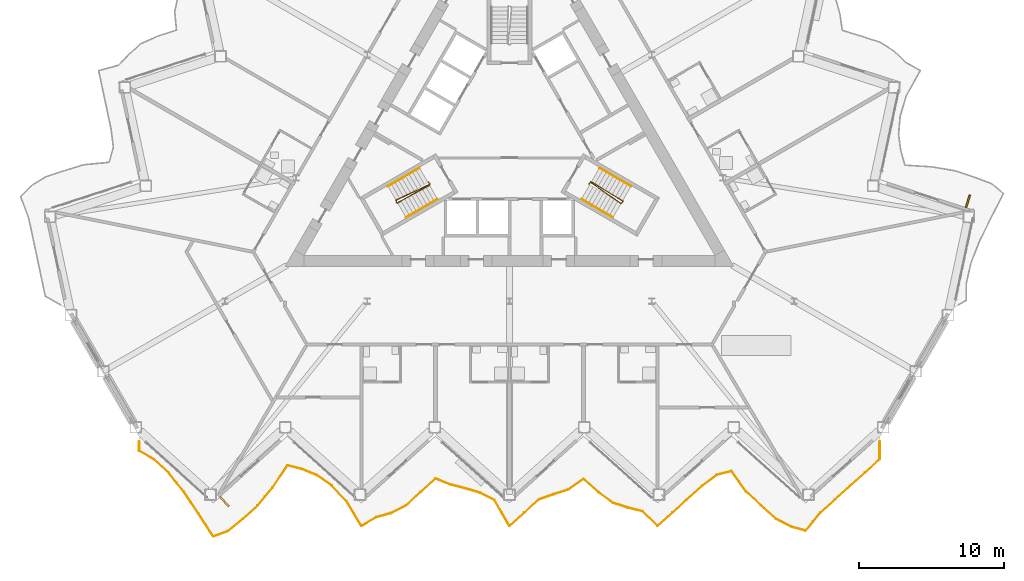
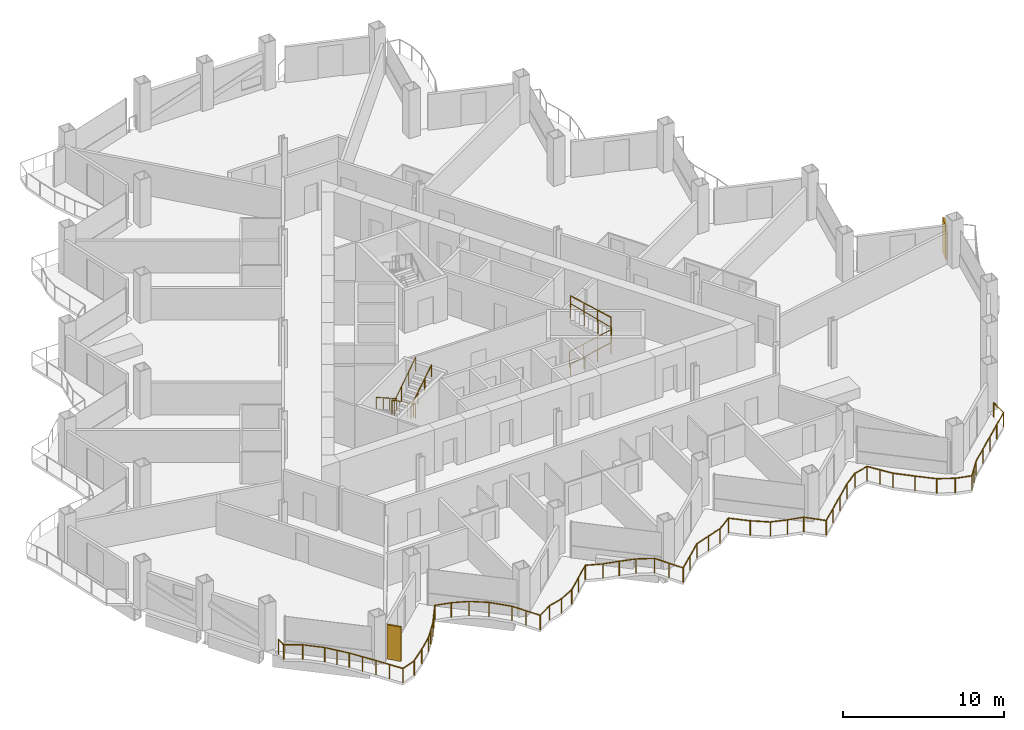
# One storey, part 19 of 23: 7 railings, 2 shading devices.
"""IFC4 building model written with IfcOpenShell, lengths in metres."""

from ifc_helpers import new_model, si_unit, direction, frame, origin, origin_2d, place, context, subcontext, project, spatial, rectangle, circle, extrude, material, layer, layer_set, type_object, element, save


model = new_model("IFC4")

# Units and contexts
model_context = context("Model", 3, precision=1e-05, world=origin(), true_north=direction((0.0, 1.0)))
body_context = subcontext(model_context, "Body", "Model", "MODEL_VIEW")
ifc_project = project(units=[si_unit("LENGTHUNIT", "METRE"), si_unit("AREAUNIT", "SQUARE_METRE"), si_unit("VOLUMEUNIT", "CUBIC_METRE"), si_unit("PLANEANGLEUNIT", "RADIAN"), si_unit("MASSUNIT", "GRAM", prefix="KILO")], contexts=[model_context])

# Site, building, storey
site_placement = place(None, origin())
site = spatial("IfcSite", under=ifc_project, at=site_placement, CompositionType="ELEMENT")
building_placement = place(site_placement, origin())
building = spatial("IfcBuilding", under=site, at=building_placement, Name="Cormorant Prow Tower", CompositionType="ELEMENT")
storey_placement = place(building_placement, frame((0.0, 0.0, 169.199951171875)))
storey = spatial("IfcBuildingStorey", under=building, at=storey_placement, Name="L35", CompositionType="ELEMENT", Elevation=169.199951171875)

# Railings
ifc_material_1 = material(Name="Aluminium 6063-T6", Category="aluminium")
railing_type_1 = type_object("IfcRailingType", Name="Balcony guard 1100", PredefinedType="GUARDRAIL", material=ifc_material_1)
railing_1_placement = place(storey_placement, frame((-25.57861328125, -21.064453125, 0.0)))
element("IfcRailing", 1, at=railing_1_placement, inside=storey, type_object=railing_type_1, Name="Balcony guard S", PredefinedType="GUARDRAIL", context=body_context, shape_type="SweptSolid", body=[
    extrude(circle(Radius=0.02392578125, at=origin_2d()), frame((0.0, 0.0, 1.076171875), z_axis=(0.0, -1.0, 0.0), x_axis=(1.0, 0.0, 0.0)), (0.0, 0.0, 1.0), 0.635986328125),
    extrude(circle(Radius=0.02392578125, at=origin_2d()), frame((0.0, -0.635986328125, 1.076171875), z_axis=(0.865369732792, -0.501133939748, 0.0), x_axis=(0.501133939748, 0.865369732792, 0.0)), (0.0, 0.0, 1.0), 1.182373046875),
    extrude(circle(Radius=0.02392578125, at=origin_2d()), frame((1.023193359375, -1.228515625, 1.076171875), z_axis=(0.737044630503, -0.675844074212, 0.0), x_axis=(0.675844074212, 0.737044630503, 0.0)), (0.0, 0.0, 1.0), 1.38818359375),
    extrude(circle(Radius=0.02392578125, at=origin_2d()), frame((2.04638671875, -2.166748046875, 1.076171875), z_axis=(0.624604168545, -0.780941503979, 0.0), x_axis=(0.780941503979, 0.624604168545, 0.0)), (0.0, 0.0, 1.0), 1.63818359375),
    extrude(circle(Radius=0.02392578125, at=origin_2d()), frame((3.069580078125, -3.446044921875, 1.076171875), z_axis=(0.558755771725, -0.829332254024, 0.0), x_axis=(0.829332254024, 0.558755771725, 0.0)), (0.0, 0.0, 1.0), 1.830810546875),
    extrude(circle(Radius=0.02392578125, at=origin_2d()), frame((4.092529296875, -4.96435546875, 1.076171875), z_axis=(0.541894185952, -0.840446721233, 0.0), x_axis=(0.840446721233, 0.541894185952, 0.0)), (0.0, 0.0, 1.0), 1.88818359375),
    extrude(circle(Radius=0.02392578125, at=origin_2d()), frame((5.11572265625, -6.55126953125, 1.076171875), z_axis=(0.938419551979, 0.345497821213, 0.0), x_axis=(-0.345497821213, 0.938419551979, 0.0)), (0.0, 0.0, 1.0), 1.09033203125),
    extrude(circle(Radius=0.02392578125, at=origin_2d()), frame((6.138916015625, -6.174560546875, 1.076171875), z_axis=(0.772600298956, 0.634892729564, 0.0), x_axis=(-0.634892729564, 0.772600298956, 0.0)), (0.0, 0.0, 1.0), 1.324462890625),
    extrude(circle(Radius=0.02392578125, at=origin_2d()), frame((7.162109375, -5.333740234375, 1.076171875), z_axis=(0.743108970185, 0.66917042555, 0.0), x_axis=(-0.66917042555, 0.743108970185, 0.0)), (0.0, 0.0, 1.0), 1.376953125),
    extrude(circle(Radius=0.02392578125, at=origin_2d()), frame((8.185302734375, -4.412353515625, 1.076171875), z_axis=(0.638534063687, 0.769593561246, 0.0), x_axis=(-0.769593561246, 0.638534063687, 0.0)), (0.0, 0.0, 1.0), 1.60205078125),
    extrude(circle(Radius=0.02392578125, at=origin_2d()), frame((9.208251953125, -3.179443359375, 1.076171875), z_axis=(0.55199216569, 0.833849296346, 0.0), x_axis=(-0.833849296346, 0.55199216569, 0.0)), (0.0, 0.0, 1.0), 1.853515625),
    extrude(circle(Radius=0.02392578125, at=origin_2d()), frame((10.2314453125, -1.6337890625, 1.076171875), z_axis=(0.968196134659, -0.250192415613, 0.0), x_axis=(0.250192415613, 0.968196134659, 0.0)), (0.0, 0.0, 1.0), 1.056884765625),
    extrude(circle(Radius=0.02392578125, at=origin_2d()), frame((11.254638671875, -1.898193359375, 1.076171875), z_axis=(0.925353395226, -0.379105650108, 0.0), x_axis=(0.379105650108, 0.925353395226, 0.0)), (0.0, 0.0, 1.0), 1.105712890625),
    extrude(circle(Radius=0.02392578125, at=origin_2d()), frame((12.27783203125, -2.3173828125, 1.076171875), z_axis=(0.818837032919, -0.574026056482, 0.0), x_axis=(0.574026056482, 0.818837032919, 0.0)), (0.0, 0.0, 1.0), 1.24951171875),
    extrude(circle(Radius=0.02392578125, at=origin_2d()), frame((13.301025390625, -3.03466796875, 1.076171875), z_axis=(0.689860705611, -0.723942129492, 0.0), x_axis=(0.723942129492, 0.689860705611, 0.0)), (0.0, 0.0, 1.0), 1.48291015625),
    extrude(circle(Radius=0.02392578125, at=origin_2d()), frame((14.323974609375, -4.108154296875, 1.076171875), z_axis=(0.511692052021, -0.859168926288, 0.0), x_axis=(0.859168926288, 0.511692052021, 0.0)), (0.0, 0.0, 1.0), 1.99951171875),
    extrude(circle(Radius=0.02392578125, at=origin_2d()), frame((15.34716796875, -5.826171875, 1.076171875), z_axis=(0.859891332532, 0.510477126065, 0.0), x_axis=(-0.510477126065, 0.859891332532, 0.0)), (0.0, 0.0, 1.0), 1.18994140625),
    extrude(circle(Radius=0.02392578125, at=origin_2d()), frame((16.370361328125, -5.21875, 1.076171875), z_axis=(0.964588333713, 0.263760016806, 0.0), x_axis=(-0.263760016806, 0.964588333713, 0.0)), (0.0, 0.0, 1.0), 1.060791015625),
    extrude(circle(Radius=0.02392578125, at=origin_2d()), frame((17.3935546875, -4.93896484375, 1.076171875), z_axis=(0.889102794107, 0.45770757205, 0.0), x_axis=(-0.45770757205, 0.889102794107, 0.0)), (0.0, 0.0, 1.0), 1.150634765625),
    extrude(circle(Radius=0.02392578125, at=origin_2d()), frame((18.41650390625, -4.412353515625, 1.076171875), z_axis=(0.743197144854, 0.669072495236, 0.0), x_axis=(-0.669072495236, 0.743197144854, 0.0)), (0.0, 0.0, 1.0), 1.376708984375),
    extrude(circle(Radius=0.02392578125, at=origin_2d()), frame((19.439697265625, -3.4912109375, 1.076171875), z_axis=(0.735819025592, 0.677178234719, 0.0), x_axis=(-0.677178234719, 0.735819025592, 0.0)), (0.0, 0.0, 1.0), 1.390625),
    extrude(circle(Radius=0.02392578125, at=origin_2d()), frame((20.462890625, -2.549560546875, 1.076171875), z_axis=(0.92843085009, -0.371505257838, 0.0), x_axis=(0.371505257838, 0.92843085009, 0.0)), (0.0, 0.0, 1.0), 1.10205078125),
    extrude(circle(Radius=0.02392578125, at=origin_2d()), frame((21.486083984375, -2.958984375, 1.076171875), z_axis=(0.968753639264, -0.24802497135, 0.0), x_axis=(0.24802497135, 0.968753639264, 0.0)), (0.0, 0.0, 1.0), 1.05615234375),
    extrude(circle(Radius=0.02392578125, at=origin_2d()), frame((22.50927734375, -3.220947265625, 1.076171875), z_axis=(0.959077058779, -0.283145184179, 0.0), x_axis=(0.283145184179, 0.959077058779, 0.0)), (0.0, 0.0, 1.0), 1.066650390625),
    extrude(circle(Radius=0.02392578125, at=origin_2d()), frame((23.5322265625, -3.52294921875, 1.076171875), z_axis=(0.891730183894, -0.45256743048, 0.0), x_axis=(0.45256743048, 0.891730183894, 0.0)), (0.0, 0.0, 1.0), 1.1474609375),
    extrude(circle(Radius=0.02392578125, at=origin_2d()), frame((24.555419921875, -4.042236328125, 1.076171875), z_axis=(0.497531823111, -0.867445724522, 0.0), x_axis=(0.867445724522, 0.497531823111, 0.0)), (0.0, 0.0, 1.0), 2.056640625),
    extrude(circle(Radius=0.02392578125, at=origin_2d()), frame((25.57861328125, -5.826171875, 1.076171875), z_axis=(0.743108970185, 0.66917042555, 0.0), x_axis=(-0.66917042555, 0.743108970185, 0.0)), (0.0, 0.0, 1.0), 1.376953125),
    extrude(circle(Radius=0.02392578125, at=origin_2d()), frame((26.601806640625, -4.90478515625, 1.076171875), z_axis=(0.743197144854, 0.669072495236, 0.0), x_axis=(-0.669072495236, 0.743197144854, 0.0)), (0.0, 0.0, 1.0), 1.376708984375),
    extrude(circle(Radius=0.02392578125, at=origin_2d()), frame((27.625, -3.983642578125, 1.076171875), z_axis=(0.945152226012, 0.326630172617, 0.0), x_axis=(-0.326630172617, 0.945152226012, 0.0)), (0.0, 0.0, 1.0), 1.082275390625),
    extrude(circle(Radius=0.02392578125, at=origin_2d()), frame((28.64794921875, -3.630126953125, 1.076171875), z_axis=(0.951438651786, 0.307838418473, 0.0), x_axis=(-0.307838418473, 0.951438651786, 0.0)), (0.0, 0.0, 1.0), 1.075439453125),
    extrude(circle(Radius=0.02392578125, at=origin_2d()), frame((29.671142578125, -3.299072265625, 1.076171875), z_axis=(0.81442879242, 0.580263510896, 0.0), x_axis=(-0.580263510896, 0.81442879242, 0.0)), (0.0, 0.0, 1.0), 1.25634765625),
    extrude(circle(Radius=0.02392578125, at=origin_2d()), frame((30.6943359375, -2.570068359375, 1.076171875), z_axis=(0.743197144854, -0.669072495236, 0.0), x_axis=(0.669072495236, 0.743197144854, 0.0)), (0.0, 0.0, 1.0), 1.376708984375),
    extrude(circle(Radius=0.02392578125, at=origin_2d()), frame((31.717529296875, -3.4912109375, 1.076171875), z_axis=(0.812041196675, -0.583600115578, 0.0), x_axis=(0.583600115578, 0.812041196675, 0.0)), (0.0, 0.0, 1.0), 1.260009765625),
    extrude(circle(Radius=0.02392578125, at=origin_2d()), frame((32.74072265625, -4.2265625, 1.076171875), z_axis=(0.950950641139, -0.309342654862, 0.0), x_axis=(0.309342654862, 0.950950641139, 0.0)), (0.0, 0.0, 1.0), 1.07568359375),
    extrude(circle(Radius=0.02392578125, at=origin_2d()), frame((33.763671875, -4.559326171875, 1.076171875), z_axis=(0.970400732326, -0.241500349276, 0.0), x_axis=(0.241500349276, 0.970400732326, 0.0)), (0.0, 0.0, 1.0), 1.054443359375),
    extrude(circle(Radius=0.02392578125, at=origin_2d()), frame((34.786865234375, -4.81396484375, 1.076171875), z_axis=(0.710913122536, -0.703279839187, 0.0), x_axis=(0.703279839187, 0.710913122536, 0.0)), (0.0, 0.0, 1.0), 1.439208984375),
    extrude(circle(Radius=0.02392578125, at=origin_2d()), frame((35.81005859375, -5.826171875, 1.076171875), z_axis=(0.743108970185, 0.66917042555, 0.0), x_axis=(-0.66917042555, 0.743108970185, 0.0)), (0.0, 0.0, 1.0), 1.376953125),
    extrude(circle(Radius=0.02392578125, at=origin_2d()), frame((36.833251953125, -4.90478515625, 1.076171875), z_axis=(0.743117745205, 0.669160680825, 0.0), x_axis=(-0.669160680825, 0.743117745205, 0.0)), (0.0, 0.0, 1.0), 1.37646484375),
    extrude(circle(Radius=0.02392578125, at=origin_2d()), frame((37.856201171875, -3.983642578125, 1.076171875), z_axis=(0.743197144854, 0.669072495236, 0.0), x_axis=(-0.669072495236, 0.743197144854, 0.0)), (0.0, 0.0, 1.0), 1.376708984375),
    extrude(circle(Radius=0.02392578125, at=origin_2d()), frame((38.87939453125, -3.0625, 1.076171875), z_axis=(0.798557204697, 0.601918923798, 0.0), x_axis=(-0.601918923798, 0.798557204697, 0.0)), (0.0, 0.0, 1.0), 1.28125),
    extrude(circle(Radius=0.02392578125, at=origin_2d()), frame((39.902587890625, -2.291259765625, 1.076171875), z_axis=(0.968975460604, 0.247156947599, 0.0), x_axis=(-0.247156947599, 0.968975460604, 0.0)), (0.0, 0.0, 1.0), 1.055908203125),
    extrude(circle(Radius=0.02392578125, at=origin_2d()), frame((40.92578125, -2.0302734375, 1.076171875), z_axis=(0.580347116889, -0.814369218426, 0.0), x_axis=(0.814369218426, 0.580347116889, 0.0)), (0.0, 0.0, 1.0), 1.76318359375),
    extrude(circle(Radius=0.02392578125, at=origin_2d()), frame((41.948974609375, -3.466064453125, 1.076171875), z_axis=(0.734077605902, -0.679065584839, 0.0), x_axis=(0.679065584839, 0.734077605902, 0.0)), (0.0, 0.0, 1.0), 1.3935546875),
    extrude(circle(Radius=0.02392578125, at=origin_2d()), frame((42.971923828125, -4.412353515625, 1.076171875), z_axis=(0.743108970185, -0.66917042555, 0.0), x_axis=(0.66917042555, 0.743108970185, 0.0)), (0.0, 0.0, 1.0), 1.376953125),
    extrude(circle(Radius=0.02392578125, at=origin_2d()), frame((43.9951171875, -5.333740234375, 1.076171875), z_axis=(0.886724390847, -0.462298447626, 0.0), x_axis=(0.462298447626, 0.886724390847, 0.0)), (0.0, 0.0, 1.0), 1.15380859375),
    extrude(circle(Radius=0.02392578125, at=origin_2d()), frame((45.018310546875, -5.8671875, 1.076171875), z_axis=(0.96423626766, -0.265044185241, 0.0), x_axis=(0.265044185241, 0.96423626766, 0.0)), (0.0, 0.0, 1.0), 1.06103515625),
    extrude(circle(Radius=0.02392578125, at=origin_2d()), frame((46.04150390625, -6.1484375, 1.076171875), z_axis=(0.635340536651, 0.772232091076, 0.0), x_axis=(-0.772232091076, 0.635340536651, 0.0)), (0.0, 0.0, 1.0), 1.6103515625),
    extrude(circle(Radius=0.02392578125, at=origin_2d()), frame((47.064697265625, -4.90478515625, 1.076171875), z_axis=(0.743117745205, 0.669160680825, 0.0), x_axis=(-0.669160680825, 0.743117745205, 0.0)), (0.0, 0.0, 1.0), 1.37646484375),
    extrude(circle(Radius=0.02392578125, at=origin_2d()), frame((48.087646484375, -3.983642578125, 1.076171875), z_axis=(0.743197144854, 0.669072495236, 0.0), x_axis=(-0.669072495236, 0.743197144854, 0.0)), (0.0, 0.0, 1.0), 1.376708984375),
    extrude(circle(Radius=0.02392578125, at=origin_2d()), frame((49.11083984375, -3.0625, 1.076171875), z_axis=(0.743108970185, 0.66917042555, 0.0), x_axis=(-0.66917042555, 0.743108970185, 0.0)), (0.0, 0.0, 1.0), 1.376953125),
    extrude(circle(Radius=0.02392578125, at=origin_2d()), frame((50.134033203125, -2.14111328125, 1.076171875), z_axis=(0.743197144854, 0.669072495236, 0.0), x_axis=(-0.669072495236, 0.743197144854, 0.0)), (0.0, 0.0, 1.0), 1.376708984375),
    extrude(circle(Radius=0.02392578125, at=origin_2d()), frame((51.1572265625, -1.219970703125, 1.076171875), z_axis=(0.0, 1.0, 0.0), x_axis=(-1.0, 0.0, 0.0)), (0.0, 0.0, 1.0), 1.219970703125),
    extrude(circle(Radius=0.02099609375, at=origin_2d()), origin(), (0.0, 0.0, 1.0), 1.052001953125),
    extrude(circle(Radius=0.02099609375, at=origin_2d()), frame((0.0, -0.635986328125, 0.0)), (0.0, 0.0, 1.0), 1.052001953125),
    extrude(circle(Radius=0.02099609375, at=origin_2d()), frame((1.023193359375, -1.228515625, 0.0)), (0.0, 0.0, 1.0), 1.052001953125),
    extrude(circle(Radius=0.02099609375, at=origin_2d()), frame((2.04638671875, -2.166748046875, 0.0)), (0.0, 0.0, 1.0), 1.052001953125),
    extrude(circle(Radius=0.02099609375, at=origin_2d()), frame((2.55810546875, -2.806396484375, 0.0)), (0.0, 0.0, 1.0), 1.052001953125),
    extrude(circle(Radius=0.02099609375, at=origin_2d()), frame((3.069580078125, -3.446044921875, 0.0)), (0.0, 0.0, 1.0), 1.052001953125),
    extrude(circle(Radius=0.02099609375, at=origin_2d()), frame((3.5810546875, -4.205078125, 0.0)), (0.0, 0.0, 1.0), 1.052001953125),
    extrude(circle(Radius=0.02099609375, at=origin_2d()), frame((4.092529296875, -4.96435546875, 0.0)), (0.0, 0.0, 1.0), 1.052001953125),
    extrude(circle(Radius=0.02099609375, at=origin_2d()), frame((4.60400390625, -5.7578125, 0.0)), (0.0, 0.0, 1.0), 1.052001953125),
    extrude(circle(Radius=0.02099609375, at=origin_2d()), frame((5.11572265625, -6.55126953125, 0.0)), (0.0, 0.0, 1.0), 1.052001953125),
    extrude(circle(Radius=0.02099609375, at=origin_2d()), frame((6.138916015625, -6.174560546875, 0.0)), (0.0, 0.0, 1.0), 1.052001953125),
    extrude(circle(Radius=0.02099609375, at=origin_2d()), frame((7.162109375, -5.333740234375, 0.0)), (0.0, 0.0, 1.0), 1.052001953125),
    extrude(circle(Radius=0.02099609375, at=origin_2d()), frame((8.185302734375, -4.412353515625, 0.0)), (0.0, 0.0, 1.0), 1.052001953125),
    extrude(circle(Radius=0.02099609375, at=origin_2d()), frame((8.69677734375, -3.7958984375, 0.0)), (0.0, 0.0, 1.0), 1.052001953125),
    extrude(circle(Radius=0.02099609375, at=origin_2d()), frame((9.208251953125, -3.179443359375, 0.0)), (0.0, 0.0, 1.0), 1.052001953125),
    extrude(circle(Radius=0.02099609375, at=origin_2d()), frame((9.7197265625, -2.40673828125, 0.0)), (0.0, 0.0, 1.0), 1.052001953125),
    extrude(circle(Radius=0.02099609375, at=origin_2d()), frame((10.2314453125, -1.6337890625, 0.0)), (0.0, 0.0, 1.0), 1.052001953125),
    extrude(circle(Radius=0.02099609375, at=origin_2d()), frame((11.254638671875, -1.898193359375, 0.0)), (0.0, 0.0, 1.0), 1.052001953125),
    extrude(circle(Radius=0.02099609375, at=origin_2d()), frame((12.27783203125, -2.3173828125, 0.0)), (0.0, 0.0, 1.0), 1.052001953125),
    extrude(circle(Radius=0.02099609375, at=origin_2d()), frame((13.301025390625, -3.03466796875, 0.0)), (0.0, 0.0, 1.0), 1.052001953125),
    extrude(circle(Radius=0.02099609375, at=origin_2d()), frame((14.323974609375, -4.108154296875, 0.0)), (0.0, 0.0, 1.0), 1.052001953125),
    extrude(circle(Radius=0.02099609375, at=origin_2d()), frame((14.83544921875, -4.96728515625, 0.0)), (0.0, 0.0, 1.0), 1.052001953125),
    extrude(circle(Radius=0.02099609375, at=origin_2d()), frame((15.34716796875, -5.826171875, 0.0)), (0.0, 0.0, 1.0), 1.052001953125),
    extrude(circle(Radius=0.02099609375, at=origin_2d()), frame((16.370361328125, -5.21875, 0.0)), (0.0, 0.0, 1.0), 1.052001953125),
    extrude(circle(Radius=0.02099609375, at=origin_2d()), frame((17.3935546875, -4.93896484375, 0.0)), (0.0, 0.0, 1.0), 1.052001953125),
    extrude(circle(Radius=0.02099609375, at=origin_2d()), frame((18.41650390625, -4.412353515625, 0.0)), (0.0, 0.0, 1.0), 1.052001953125),
    extrude(circle(Radius=0.02099609375, at=origin_2d()), frame((19.439697265625, -3.4912109375, 0.0)), (0.0, 0.0, 1.0), 1.052001953125),
    extrude(circle(Radius=0.02099609375, at=origin_2d()), frame((20.462890625, -2.549560546875, 0.0)), (0.0, 0.0, 1.0), 1.052001953125),
    extrude(circle(Radius=0.02099609375, at=origin_2d()), frame((21.486083984375, -2.958984375, 0.0)), (0.0, 0.0, 1.0), 1.052001953125),
    extrude(circle(Radius=0.02099609375, at=origin_2d()), frame((22.50927734375, -3.220947265625, 0.0)), (0.0, 0.0, 1.0), 1.052001953125),
    extrude(circle(Radius=0.02099609375, at=origin_2d()), frame((23.5322265625, -3.52294921875, 0.0)), (0.0, 0.0, 1.0), 1.052001953125),
    extrude(circle(Radius=0.02099609375, at=origin_2d()), frame((24.555419921875, -4.042236328125, 0.0)), (0.0, 0.0, 1.0), 1.052001953125),
    extrude(circle(Radius=0.02099609375, at=origin_2d()), frame((25.06689453125, -4.93408203125, 0.0)), (0.0, 0.0, 1.0), 1.052001953125),
    extrude(circle(Radius=0.02099609375, at=origin_2d()), frame((25.57861328125, -5.826171875, 0.0)), (0.0, 0.0, 1.0), 1.052001953125),
    extrude(circle(Radius=0.02099609375, at=origin_2d()), frame((26.601806640625, -4.90478515625, 0.0)), (0.0, 0.0, 1.0), 1.052001953125),
    extrude(circle(Radius=0.02099609375, at=origin_2d()), frame((27.625, -3.983642578125, 0.0)), (0.0, 0.0, 1.0), 1.052001953125),
    extrude(circle(Radius=0.02099609375, at=origin_2d()), frame((28.64794921875, -3.630126953125, 0.0)), (0.0, 0.0, 1.0), 1.052001953125),
    extrude(circle(Radius=0.02099609375, at=origin_2d()), frame((29.671142578125, -3.299072265625, 0.0)), (0.0, 0.0, 1.0), 1.052001953125),
    extrude(circle(Radius=0.02099609375, at=origin_2d()), frame((30.6943359375, -2.570068359375, 0.0)), (0.0, 0.0, 1.0), 1.052001953125),
    extrude(circle(Radius=0.02099609375, at=origin_2d()), frame((31.717529296875, -3.4912109375, 0.0)), (0.0, 0.0, 1.0), 1.052001953125),
    extrude(circle(Radius=0.02099609375, at=origin_2d()), frame((32.74072265625, -4.2265625, 0.0)), (0.0, 0.0, 1.0), 1.052001953125),
    extrude(circle(Radius=0.02099609375, at=origin_2d()), frame((33.763671875, -4.559326171875, 0.0)), (0.0, 0.0, 1.0), 1.052001953125),
    extrude(circle(Radius=0.02099609375, at=origin_2d()), frame((34.786865234375, -4.81396484375, 0.0)), (0.0, 0.0, 1.0), 1.052001953125),
    extrude(circle(Radius=0.02099609375, at=origin_2d()), frame((35.81005859375, -5.826171875, 0.0)), (0.0, 0.0, 1.0), 1.052001953125),
    extrude(circle(Radius=0.02099609375, at=origin_2d()), frame((36.833251953125, -4.90478515625, 0.0)), (0.0, 0.0, 1.0), 1.052001953125),
    extrude(circle(Radius=0.02099609375, at=origin_2d()), frame((37.856201171875, -3.983642578125, 0.0)), (0.0, 0.0, 1.0), 1.052001953125),
    extrude(circle(Radius=0.02099609375, at=origin_2d()), frame((38.87939453125, -3.0625, 0.0)), (0.0, 0.0, 1.0), 1.052001953125),
    extrude(circle(Radius=0.02099609375, at=origin_2d()), frame((39.902587890625, -2.291259765625, 0.0)), (0.0, 0.0, 1.0), 1.052001953125),
    extrude(circle(Radius=0.02099609375, at=origin_2d()), frame((40.92578125, -2.0302734375, 0.0)), (0.0, 0.0, 1.0), 1.052001953125),
    extrude(circle(Radius=0.02099609375, at=origin_2d()), frame((41.4375, -2.748046875, 0.0)), (0.0, 0.0, 1.0), 1.052001953125),
    extrude(circle(Radius=0.02099609375, at=origin_2d()), frame((41.948974609375, -3.466064453125, 0.0)), (0.0, 0.0, 1.0), 1.052001953125),
    extrude(circle(Radius=0.02099609375, at=origin_2d()), frame((42.971923828125, -4.412353515625, 0.0)), (0.0, 0.0, 1.0), 1.052001953125),
    extrude(circle(Radius=0.02099609375, at=origin_2d()), frame((43.9951171875, -5.333740234375, 0.0)), (0.0, 0.0, 1.0), 1.052001953125),
    extrude(circle(Radius=0.02099609375, at=origin_2d()), frame((45.018310546875, -5.8671875, 0.0)), (0.0, 0.0, 1.0), 1.052001953125),
    extrude(circle(Radius=0.02099609375, at=origin_2d()), frame((46.04150390625, -6.1484375, 0.0)), (0.0, 0.0, 1.0), 1.052001953125),
    extrude(circle(Radius=0.02099609375, at=origin_2d()), frame((46.55322265625, -5.526611328125, 0.0)), (0.0, 0.0, 1.0), 1.052001953125),
    extrude(circle(Radius=0.02099609375, at=origin_2d()), frame((47.064697265625, -4.90478515625, 0.0)), (0.0, 0.0, 1.0), 1.052001953125),
    extrude(circle(Radius=0.02099609375, at=origin_2d()), frame((48.087646484375, -3.983642578125, 0.0)), (0.0, 0.0, 1.0), 1.052001953125),
    extrude(circle(Radius=0.02099609375, at=origin_2d()), frame((49.11083984375, -3.0625, 0.0)), (0.0, 0.0, 1.0), 1.052001953125),
    extrude(circle(Radius=0.02099609375, at=origin_2d()), frame((50.134033203125, -2.14111328125, 0.0)), (0.0, 0.0, 1.0), 1.052001953125),
    extrude(circle(Radius=0.02099609375, at=origin_2d()), frame((51.1572265625, -1.219970703125, 0.0)), (0.0, 0.0, 1.0), 1.052001953125),
    extrude(circle(Radius=0.02099609375, at=origin_2d()), frame((51.1572265625, 0.0, 0.0)), (0.0, 0.0, 1.0), 1.052001953125),
])
ifc_material_2 = material(Name="Stainless steel", Category="steel")
railing_type_2 = type_object("IfcRailingType", Name="Stair guard 1100", PredefinedType="GUARDRAIL", material=ifc_material_2)
railing_2_placement = place(storey_placement, frame((-5.585205078125, -3.137939453125, 0.0)))
element("IfcRailing", 2, at=railing_2_placement, inside=storey, type_object=railing_type_2, Name="L35 ST1 stair guard 1", PredefinedType="GUARDRAIL", context=body_context, shape_type="SweptSolid", body=[
    extrude(circle(Radius=0.02392578125, at=origin_2d()), frame((0.0, 0.0, 1.076171875), z_axis=(0.501036270542, -0.865426285481, 0.0), x_axis=(0.865426285481, 0.501036270542, 0.0)), (0.0, 0.0, 1.0), 0.150146484375),
    extrude(circle(Radius=0.02392578125, at=origin_2d()), frame((0.0751953125, -0.1298828125, 1.076171875), z_axis=(-0.739707038506, -0.353624380995, 0.572523619033), x_axis=(0.431308035802, -0.902204731895, 0.0)), (0.0, 0.0, 1.0), 3.14404296875),
    extrude(circle(Radius=0.02392578125, at=origin_2d()), frame((-2.25048828125, -1.24169921875, 2.8759765625), z_axis=(0.274721127897, -0.961523947641, 0.0), x_axis=(0.961523947641, 0.274721127897, 0.0)), (0.0, 0.0, 1.0), 0.2060546875),
    extrude(circle(Radius=0.02392578125, at=origin_2d()), frame((-2.19384765625, -1.43994140625, 2.8759765625), z_axis=(0.717223475266, 0.39568267656, 0.573607623727), x_axis=(-0.483052234887, 0.87559153626, 0.0)), (0.0, 0.0, 1.0), 3.13818359375),
    extrude(circle(Radius=0.02099609375, at=origin_2d()), origin(), (0.0, 0.0, 1.0), 1.052001953125),
    extrude(circle(Radius=0.02099609375, at=origin_2d()), frame((0.0751953125, -0.1298828125, 0.0)), (0.0, 0.0, 1.0), 1.052001953125),
    extrude(circle(Radius=0.02099609375, at=origin_2d()), frame((-0.699951171875, -0.50048828125, 0.60009765625)), (0.0, 0.0, 1.0), 1.052001953125),
    extrude(circle(Radius=0.02099609375, at=origin_2d()), frame((-1.475341796875, -0.87109375, 1.199951171875)), (0.0, 0.0, 1.0), 1.052001953125),
    extrude(circle(Radius=0.02099609375, at=origin_2d()), frame((-2.25048828125, -1.24169921875, 1.800048828125)), (0.0, 0.0, 1.0), 1.052001953125),
    extrude(circle(Radius=0.02099609375, at=origin_2d()), frame((-2.19384765625, -1.43994140625, 1.800048828125)), (0.0, 0.0, 1.0), 1.052001953125),
    extrude(circle(Radius=0.02099609375, at=origin_2d()), frame((-1.443603515625, -1.026123046875, 2.400146484375)), (0.0, 0.0, 1.0), 1.052001953125),
    extrude(circle(Radius=0.02099609375, at=origin_2d()), frame((-0.693359375, -0.612060546875, 3.0)), (0.0, 0.0, 1.0), 1.052001953125),
    extrude(circle(Radius=0.02099609375, at=origin_2d()), frame((0.056884765625, -0.1982421875, 3.60009765625)), (0.0, 0.0, 1.0), 1.052001953125),
])
railing_3_placement = place(storey_placement, frame((5.510009765625, -3.267822265625, 0.0)))
element("IfcRailing", 3, at=railing_3_placement, inside=storey, type_object=railing_type_2, Name="L35 ST2 stair guard 1", PredefinedType="GUARDRAIL", context=body_context, shape_type="SweptSolid", body=[
    extrude(circle(Radius=0.02392578125, at=origin_2d()), frame((0.0, 0.0, 1.076171875), z_axis=(0.501036270542, 0.865426285481, 0.0), x_axis=(-0.865426285481, 0.501036270542, 0.0)), (0.0, 0.0, 1.0), 0.150146484375),
    extrude(circle(Radius=0.02392578125, at=origin_2d()), frame((0.0751953125, 0.1298828125, 1.076171875), z_axis=(0.676058237057, -0.463829066155, 0.572545070276), x_axis=(0.565732651216, 0.824588726183, 0.0)), (0.0, 0.0, 1.0), 3.14404296875),
    extrude(circle(Radius=0.02392578125, at=origin_2d()), frame((2.20068359375, -1.328369140625, 2.8759765625), z_axis=(0.695164929852, 0.718850276695, 0.0), x_axis=(-0.718850276695, 0.695164929852, 0.0)), (0.0, 0.0, 1.0), 0.2060546875),
    extrude(circle(Radius=0.02392578125, at=origin_2d()), frame((2.343994140625, -1.18017578125, 2.8759765625), z_axis=(-0.70127624584, 0.423301980654, 0.573608804147), x_axis=(-0.516770599887, -0.856123908726, 0.0)), (0.0, 0.0, 1.0), 3.13818359375),
    extrude(circle(Radius=0.02099609375, at=origin_2d()), origin(), (0.0, 0.0, 1.0), 1.052001953125),
    extrude(circle(Radius=0.02099609375, at=origin_2d()), frame((0.0751953125, 0.1298828125, 0.0)), (0.0, 0.0, 1.0), 1.052001953125),
    extrude(circle(Radius=0.02099609375, at=origin_2d()), frame((0.78369140625, -0.356201171875, 0.60009765625)), (0.0, 0.0, 1.0), 1.052001953125),
    extrude(circle(Radius=0.02099609375, at=origin_2d()), frame((1.4921875, -0.84228515625, 1.199951171875)), (0.0, 0.0, 1.0), 1.052001953125),
    extrude(circle(Radius=0.02099609375, at=origin_2d()), frame((2.20068359375, -1.328369140625, 1.800048828125)), (0.0, 0.0, 1.0), 1.052001953125),
    extrude(circle(Radius=0.02099609375, at=origin_2d()), frame((2.343994140625, -1.18017578125, 1.800048828125)), (0.0, 0.0, 1.0), 1.052001953125),
    extrude(circle(Radius=0.02099609375, at=origin_2d()), frame((1.6103515625, -0.7373046875, 2.400146484375)), (0.0, 0.0, 1.0), 1.052001953125),
    extrude(circle(Radius=0.02099609375, at=origin_2d()), frame((0.876953125, -0.294677734375, 3.0)), (0.0, 0.0, 1.0), 1.052001953125),
    extrude(circle(Radius=0.02099609375, at=origin_2d()), frame((0.143310546875, 0.148193359375, 3.60009765625)), (0.0, 0.0, 1.0), 1.052001953125),
])
ifc_material_3 = material(Name="Stainless steel", Category="steel")
railing_type_3 = type_object("IfcRailingType", Name="Stair handrail 900", PredefinedType="HANDRAIL", material=ifc_material_3)
railing_4_placement = place(storey_placement, frame((-6.212890625, -2.150634765625, 0.179931640625)))
element("IfcRailing", 4, at=railing_4_placement, inside=storey, type_object=railing_type_3, Name="L35 ST1 stair handrail 1", PredefinedType="HANDRAIL", context=body_context, shape_type="SweptSolid", body=[
    extrude(circle(Radius=0.02392578125, at=origin_2d()), frame((0.0, 0.0, 0.8759765625), z_axis=(-0.728463801763, -0.420584145978, 0.540785970299), x_axis=(0.500004791531, -0.866022637375, 0.0)), (0.0, 0.0, 1.0), 2.995849609375),
    extrude(circle(Radius=0.02099609375, at=origin_2d()), origin(), (0.0, 0.0, 1.0), 0.851806640625),
    extrude(circle(Radius=0.02099609375, at=origin_2d()), frame((-0.7275390625, -0.419921875, 0.5400390625)), (0.0, 0.0, 1.0), 0.851806640625),
    extrude(circle(Radius=0.02099609375, at=origin_2d()), frame((-1.454833984375, -0.840087890625, 1.080078125)), (0.0, 0.0, 1.0), 0.851806640625),
    extrude(circle(Radius=0.02099609375, at=origin_2d()), frame((-2.182373046875, -1.260009765625, 1.6201171875)), (0.0, 0.0, 1.0), 0.851806640625),
])
railing_5_placement = place(storey_placement, frame((-7.1513671875, -5.565185546875, 1.97998046875)))
element("IfcRailing", 5, at=railing_5_placement, inside=storey, type_object=railing_type_3, Name="L35 ST1 stair handrail 2", PredefinedType="HANDRAIL", context=body_context, shape_type="SweptSolid", body=[
    extrude(circle(Radius=0.02392578125, at=origin_2d()), frame((0.0, 0.0, 0.8759765625), z_axis=(0.728463801763, 0.420584145978, 0.540785970299), x_axis=(-0.500004791531, 0.866022637375, 0.0)), (0.0, 0.0, 1.0), 2.995849609375),
    extrude(circle(Radius=0.02099609375, at=origin_2d()), origin(), (0.0, 0.0, 1.0), 0.851806640625),
    extrude(circle(Radius=0.02099609375, at=origin_2d()), frame((0.7275390625, 0.419921875, 0.5400390625)), (0.0, 0.0, 1.0), 0.851806640625),
    extrude(circle(Radius=0.02099609375, at=origin_2d()), frame((1.454833984375, 0.840087890625, 1.080078125)), (0.0, 0.0, 1.0), 0.851806640625),
    extrude(circle(Radius=0.02099609375, at=origin_2d()), frame((2.182373046875, 1.260009765625, 1.6201171875)), (0.0, 0.0, 1.0), 0.851806640625),
])
railing_6_placement = place(storey_placement, frame((4.968994140625, -4.30517578125, 0.179931640625)))
element("IfcRailing", 6, at=railing_6_placement, inside=storey, type_object=railing_type_3, Name="L35 ST2 stair handrail 1", PredefinedType="HANDRAIL", context=body_context, shape_type="SweptSolid", body=[
    extrude(circle(Radius=0.02392578125, at=origin_2d()), frame((0.0, 0.0, 0.8759765625), z_axis=(0.728463801763, -0.420584145978, 0.540785970299), x_axis=(0.500004791531, 0.866022637375, 0.0)), (0.0, 0.0, 1.0), 2.995849609375),
    extrude(circle(Radius=0.02099609375, at=origin_2d()), origin(), (0.0, 0.0, 1.0), 0.851806640625),
    extrude(circle(Radius=0.02099609375, at=origin_2d()), frame((0.7275390625, -0.419921875, 0.5400390625)), (0.0, 0.0, 1.0), 0.851806640625),
    extrude(circle(Radius=0.02099609375, at=origin_2d()), frame((1.454833984375, -0.840087890625, 1.080078125)), (0.0, 0.0, 1.0), 0.851806640625),
    extrude(circle(Radius=0.02099609375, at=origin_2d()), frame((2.182373046875, -1.260009765625, 1.6201171875)), (0.0, 0.0, 1.0), 0.851806640625),
])
railing_7_placement = place(storey_placement, frame((8.395263671875, -3.41064453125, 1.97998046875)))
element("IfcRailing", 7, at=railing_7_placement, inside=storey, type_object=railing_type_3, Name="L35 ST2 stair handrail 2", PredefinedType="HANDRAIL", context=body_context, shape_type="SweptSolid", body=[
    extrude(circle(Radius=0.02392578125, at=origin_2d()), frame((0.0, 0.0, 0.8759765625), z_axis=(-0.728463801763, 0.420584145978, 0.540785970299), x_axis=(-0.500004791531, -0.866022637375, 0.0)), (0.0, 0.0, 1.0), 2.995849609375),
    extrude(circle(Radius=0.02099609375, at=origin_2d()), origin(), (0.0, 0.0, 1.0), 0.851806640625),
    extrude(circle(Radius=0.02099609375, at=origin_2d()), frame((-0.7275390625, 0.419921875, 0.5400390625)), (0.0, 0.0, 1.0), 0.851806640625),
    extrude(circle(Radius=0.02099609375, at=origin_2d()), frame((-1.454833984375, 0.840087890625, 1.080078125)), (0.0, 0.0, 1.0), 0.851806640625),
    extrude(circle(Radius=0.02099609375, at=origin_2d()), frame((-2.182373046875, 1.260009765625, 1.6201171875)), (0.0, 0.0, 1.0), 0.851806640625),
])

# Shading devices
ifc_material_4 = material(Name="Terracotta", Category="masonry")
ifc_layer = layer(ifc_material_4, 0.1201171875)
ifc_layer_set = layer_set([ifc_layer], Name="Terracotta")
shading_device_type = type_object("IfcShadingDeviceType", Name="Terracotta baguette fin 120x900x2600", PredefinedType="USERDEFINED", material=ifc_layer_set)
for number, where, z_axis, x_axis, name in (
    (8, (-19.695068359375, -25.204833984375, 0.0), (0.0, 0.0, 1.0), (0.743144866726, 0.669130560548, 0.0), "Baguette fin S01"),
    (9, (31.675537109375, -4.4541015625, 0.0), (0.0, 0.0, 1.0), (-0.951056492009, 0.309017069121, 0.0), "Baguette fin ENE01"),
):
    element("IfcShadingDevice", number, at=place(storey_placement, frame(where, z_axis=z_axis, x_axis=x_axis)), inside=storey, type_object=shading_device_type, Name=name, ObjectType="BAGUETTE", PredefinedType="USERDEFINED", context=body_context, shape_type="SweptSolid", body=[
        extrude(rectangle(XDim=0.1201171875, YDim=0.89990234375, at=origin_2d()), origin(), (0.0, 0.0, 1.0), 2.60009765625),
    ])

save(model, "model.ifc")
